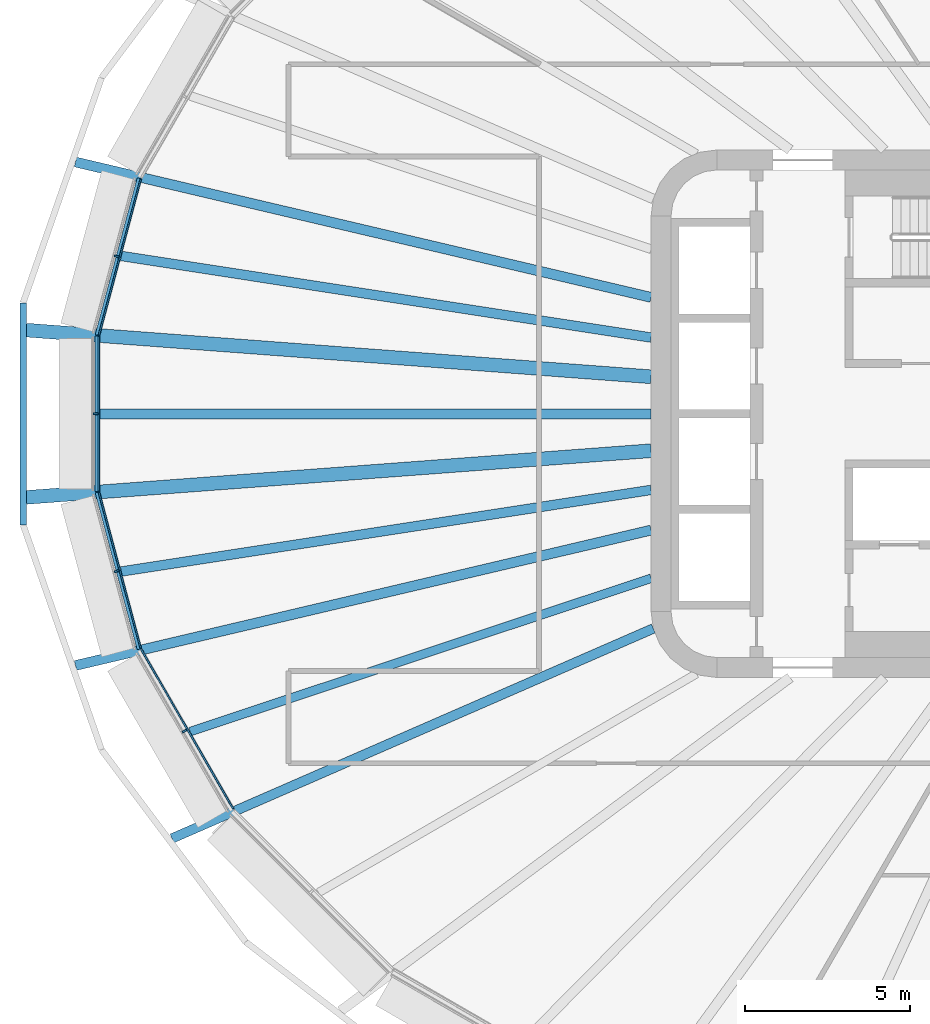
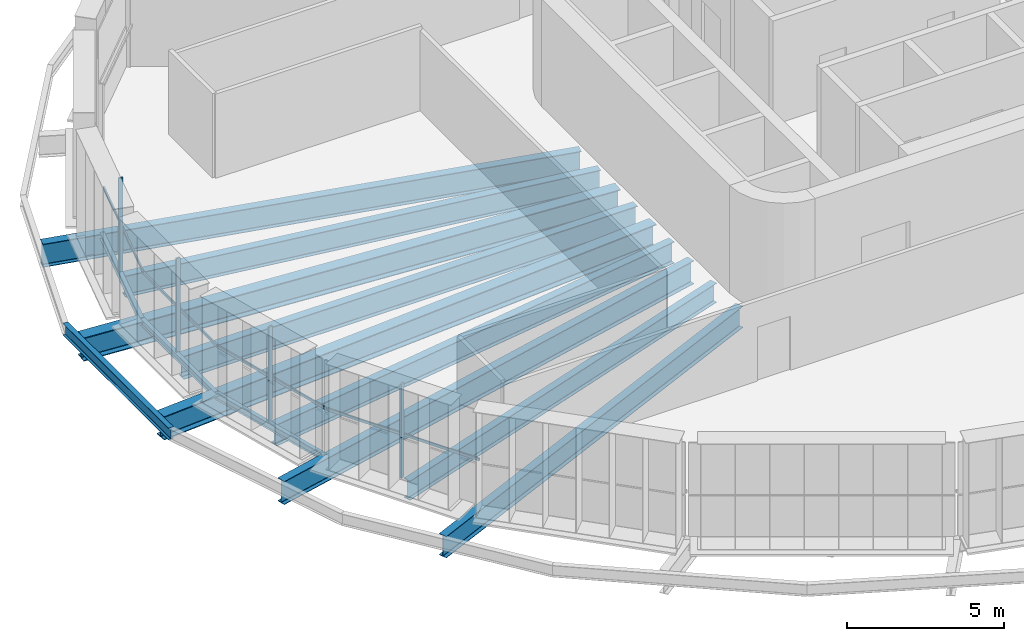
# One storey, part 3 of 25: 13 beams, 8 members, 4 elements without a shape of their own.
"""IFC4 building model written with IfcOpenShell, lengths in metres."""

from ifc_helpers import new_model, si_unit, direction, frame, origin, origin_2d, place, context, subcontext, project, spatial, rectangle, i_section, extrude, material, layer, layer_set, material_profile, profile_set, type_object, element, aggregate, save


model = new_model("IFC4")

# Units and contexts
model_context = context("Model", 3, precision=1e-05, world=origin(), true_north=direction((0.0, 1.0)))
body_context = subcontext(model_context, "Body", "Model", "MODEL_VIEW")
ifc_project = project(units=[si_unit("LENGTHUNIT", "METRE"), si_unit("AREAUNIT", "SQUARE_METRE"), si_unit("VOLUMEUNIT", "CUBIC_METRE"), si_unit("PLANEANGLEUNIT", "RADIAN"), si_unit("MASSUNIT", "GRAM", prefix="KILO")], contexts=[model_context])

# Site, building, storey
site_placement = place(None, origin())
site = spatial("IfcSite", under=ifc_project, at=site_placement, CompositionType="ELEMENT")
building_placement = place(site_placement, origin())
building = spatial("IfcBuilding", under=site, at=building_placement, Name="Sahrelin Media Tower", CompositionType="ELEMENT")
storey_placement = place(building_placement, frame((0.0, 0.0, 106.199951171875)))
storey = spatial("IfcBuildingStorey", under=building, at=storey_placement, Name="L20", CompositionType="ELEMENT", Elevation=106.199951171875)

# Beams
ifc_material_1 = material(Name="Steel S355", Category="steel")
ifc_material_profile_1 = material_profile(ifc_material_1, i_section(OverallWidth=0.14599609375, OverallDepth=0.25146484375, WebThickness=0.006103515625, FlangeThickness=0.008544921875, FilletRadius=0.007568359375, at=origin_2d()), Name="UB 254x146x31")
ifc_profile_set_1 = profile_set([ifc_material_profile_1], Name="Steel S355")
beam_type_1 = type_object("IfcBeamType", Name="Edge beam EB1", PredefinedType="BEAM", material=ifc_profile_set_1)
beam_1_placement = place(storey_placement, frame((-30.51611328125, -7.138427734375, -0.275634765625), z_axis=(-0.258785645927, 0.965934774952, 0.0), x_axis=(-0.965934774952, -0.258785645927, 0.0)))
element("IfcBeam", 1, at=beam_1_placement, inside=storey, type_object=beam_type_1, Name="Edge beam L20-12", PredefinedType="BEAM", context=body_context, shape_type="SweptSolid", body=[
    extrude(i_section(OverallWidth=0.14599609375, OverallDepth=0.25146484375, WebThickness=0.006103515625, FlangeThickness=0.008544921875, FilletRadius=0.007568359375, at=origin_2d()), origin(), (0.0, 0.0, 1.0), 4.924560546875),
])
beam_2_placement = place(storey_placement, frame((-31.794189453125, -2.352783203125, -0.275634765625), z_axis=(0.0, 1.0, 0.0), x_axis=(-1.0, 0.0, 0.0)))
element("IfcBeam", 2, at=beam_2_placement, inside=storey, type_object=beam_type_1, Name="Edge beam L20-13", PredefinedType="BEAM", context=body_context, shape_type="SweptSolid", body=[
    extrude(i_section(OverallWidth=0.14599609375, OverallDepth=0.25146484375, WebThickness=0.006103515625, FlangeThickness=0.008544921875, FilletRadius=0.007568359375, at=origin_2d()), origin(), (0.0, 0.0, 1.0), 4.70556640625),
])
beam_3_placement = place(storey_placement, frame((-31.79052734375, 2.381591796875, -0.275634765625), z_axis=(0.258785645927, 0.965934774952, 0.0), x_axis=(-0.965934774952, 0.258785645927, 0.0)))
element("IfcBeam", 3, at=beam_3_placement, inside=storey, type_object=beam_type_1, Name="Edge beam L20-14", PredefinedType="BEAM", context=body_context, shape_type="SweptSolid", body=[
    extrude(i_section(OverallWidth=0.14599609375, OverallDepth=0.25146484375, WebThickness=0.006103515625, FlangeThickness=0.008544921875, FilletRadius=0.007568359375, at=origin_2d()), origin(), (0.0, 0.0, 1.0), 4.924560546875),
])

# Curtain wall, member
ifc_material_2 = material(Name="Champagne anodised aluminium 6063-T6", Category="aluminium")
ifc_layer = layer(ifc_material_2, 0.14990234375)
ifc_layer_set = layer_set([ifc_layer], Name="Tower ribbon curtain wall")
curtain_wall_type = type_object("IfcCurtainWallType", Name="Tower ribbon curtain wall", PredefinedType="NOTDEFINED", material=ifc_layer_set)
curtain_wall_1_placement = place(storey_placement, frame((-31.298095703125, 4.798583984375, 0.0), z_axis=(0.0, 0.0, 1.0), x_axis=(1.0, 0.0, 0.0)))
curtain_wall_1 = element("IfcCurtainWall", 4, at=curtain_wall_1_placement, inside=storey, type_object=curtain_wall_type, Name="L20:CW:L20-11", PredefinedType="NOTDEFINED")
ifc_material_profile_2 = material_profile(ifc_material_2, rectangle(XDim=0.06005859375, YDim=0.14990234375, at=origin_2d()), Name="Mullion 60x150")
ifc_profile_set_2 = profile_set([ifc_material_profile_2], Name="Champagne anodised aluminium 6063-T6")
member_type_1 = type_object("IfcMemberType", Name="Mullion 60x150 CW1", PredefinedType="MULLION", material=ifc_profile_set_2)
member_1_placement = place(storey_placement, frame((-31.206298828125, 4.774169921875, 0.0), z_axis=(0.0, 0.0, 1.0), x_axis=(-0.2588106158, -0.965928084875, 0.0)))
member_1 = element("IfcMember", 5, at=member_1_placement, type_object=member_type_1, Name="L20:CWM:L20-11", PredefinedType="MULLION", context=body_context, shape_type="SweptSolid", body=[
    extrude(rectangle(XDim=0.06005859375, YDim=0.14990234375, at=origin_2d()), origin(), (0.0, 0.0, 1.0), 3.648681640625),
])

curtain_wall_2_placement = place(storey_placement, frame((-31.9443359375, 0.0, 0.0), z_axis=(0.0, 0.0, 1.0), x_axis=(1.0, 0.0, 0.0)))
curtain_wall_2 = element("IfcCurtainWall", 6, at=curtain_wall_2_placement, inside=storey, type_object=curtain_wall_type, Name="L20:CW:L20-12", PredefinedType="NOTDEFINED")
member_2_placement = place(storey_placement, frame((-31.849365234375, 0.0, 0.0), z_axis=(0.0, 0.0, 1.0), x_axis=(0.0, -1.0, 0.0)))
member_2 = element("IfcMember", 7, at=member_2_placement, type_object=member_type_1, Name="L20:CWM:L20-12", PredefinedType="MULLION", context=body_context, shape_type="SweptSolid", body=[
    extrude(rectangle(XDim=0.06005859375, YDim=0.14990234375, at=origin_2d()), origin(), (0.0, 0.0, 1.0), 3.648681640625),
])

curtain_wall_3_placement = place(storey_placement, frame((-31.298095703125, -4.798828125, 0.0), z_axis=(0.0, 0.0, 1.0), x_axis=(1.0, 0.0, 0.0)))
curtain_wall_3 = element("IfcCurtainWall", 8, at=curtain_wall_3_placement, inside=storey, type_object=curtain_wall_type, Name="L20:CW:L20-13", PredefinedType="NOTDEFINED")
member_3_placement = place(storey_placement, frame((-31.206298828125, -4.774169921875, 0.0), z_axis=(0.0, 0.0, 1.0), x_axis=(0.2588106158, -0.965928084875, 0.0)))
member_3 = element("IfcMember", 9, at=member_3_placement, type_object=member_type_1, Name="L20:CWM:L20-13", PredefinedType="MULLION", context=body_context, shape_type="SweptSolid", body=[
    extrude(rectangle(XDim=0.06005859375, YDim=0.14990234375, at=origin_2d()), origin(), (0.0, 0.0, 1.0), 3.648681640625),
])

curtain_wall_4_placement = place(storey_placement, frame((-29.231689453125, -9.67041015625, 0.0), z_axis=(0.0, 0.0, 1.0), x_axis=(1.0, 0.0, 0.0)))
curtain_wall_4 = element("IfcCurtainWall", 10, at=curtain_wall_4_placement, inside=storey, type_object=curtain_wall_type, Name="L20:CW:L20-14", PredefinedType="NOTDEFINED")
member_4_placement = place(storey_placement, frame((-29.1494140625, -9.622802734375, 0.0), z_axis=(0.0, 0.0, 1.0), x_axis=(0.500004534492, -0.866022785779, 0.0)))
member_4 = element("IfcMember", 11, at=member_4_placement, type_object=member_type_1, Name="L20:CWM:L20-14", PredefinedType="MULLION", context=body_context, shape_type="SweptSolid", body=[
    extrude(rectangle(XDim=0.06005859375, YDim=0.14990234375, at=origin_2d()), origin(), (0.0, 0.0, 1.0), 3.648681640625),
])

# Beams
ifc_material_profile_3 = material_profile(ifc_material_1, i_section(OverallWidth=0.291748046875, OverallDepth=0.8349609375, WebThickness=0.013916015625, FlangeThickness=0.018798828125, FilletRadius=0.017822265625, at=origin_2d()), Name="UB 838x292x176")
ifc_profile_set_3 = profile_set([ifc_material_profile_3], Name="Steel S355")
beam_type_2 = type_object("IfcBeamType", Name="Radial primary beam PB10", PredefinedType="BEAM", material=ifc_profile_set_3)
beam_4_placement = place(storey_placement, frame((-14.9326171875, -6.512939453125, -0.5673828125), z_axis=(-0.916604953185, -0.399794146777, 0.0), x_axis=(0.399794146777, -0.916604953185, 0.0)))
element("IfcBeam", 12, at=beam_4_placement, inside=storey, type_object=beam_type_2, Name="Radial beam L20-15", PredefinedType="BEAM", context=body_context, shape_type="SweptSolid", body=[
    extrude(i_section(OverallWidth=0.291748046875, OverallDepth=0.8349609375, WebThickness=0.013916015625, FlangeThickness=0.018798828125, FilletRadius=0.017822265625, at=origin_2d()), origin(), (0.0, 0.0, 1.0), 15.927490234375),
])
ifc_material_profile_4 = material_profile(ifc_material_1, i_section(OverallWidth=0.30322265625, OverallDepth=0.903076171875, WebThickness=0.01513671875, FlangeThickness=0.020263671875, FilletRadius=0.01904296875, at=origin_2d()), Name="UB 914x305x201")
ifc_profile_set_4 = profile_set([ifc_material_profile_4], Name="Steel S355")
beam_type_3 = type_object("IfcBeamType", Name="Radial primary beam PB11", PredefinedType="BEAM", material=ifc_profile_set_4)
for number, where, z_axis, x_axis, name in (
    (13, (-15.0, 3.528564453125, -0.6015625), (-0.973432697563, 0.228973324463, 0.0), (-0.228973324463, -0.973432697563, 0.0), "Radial beam L20-11"),
    (14, (-15.0, -3.528564453125, -0.6015625), (-0.973432697563, -0.228973324463, 0.0), (0.228973324463, -0.973432697563, 0.0), "Radial beam L20-14"),
):
    element("IfcBeam", number, at=place(storey_placement, frame(where, z_axis=z_axis, x_axis=x_axis)), inside=storey, type_object=beam_type_3, Name=name, PredefinedType="BEAM", context=body_context, shape_type="SweptSolid", body=[
        extrude(i_section(OverallWidth=0.30322265625, OverallDepth=0.903076171875, WebThickness=0.01513671875, FlangeThickness=0.020263671875, FilletRadius=0.01904296875, at=origin_2d()), origin(), (0.0, 0.0, 1.0), 17.935302734375),
    ])
ifc_material_profile_5 = material_profile(ifc_material_1, i_section(OverallWidth=0.41845703125, OverallDepth=0.911865234375, WebThickness=0.019287109375, FlangeThickness=0.031982421875, FilletRadius=0.024169921875, at=origin_2d()), Name="UB 914x419x343")
ifc_profile_set_5 = profile_set([ifc_material_profile_5], Name="Steel S355")
beam_type_4 = type_object("IfcBeamType", Name="Radial primary beam PB12", PredefinedType="BEAM", material=ifc_profile_set_5)
for number, where, z_axis, x_axis, name in (
    (15, (-15.0, 1.12109375, -0.60595703125), (-0.997219944045, 0.074514315397, 0.0), (-0.074514315397, -0.997219944045, 0.0), "Radial beam L20-12"),
    (16, (-15.0, -1.12109375, -0.60595703125), (-0.997219944045, -0.074514315397, 0.0), (0.074514315397, -0.997219944045, 0.0), "Radial beam L20-13"),
):
    element("IfcBeam", number, at=place(storey_placement, frame(where, z_axis=z_axis, x_axis=x_axis)), inside=storey, type_object=beam_type_4, Name=name, PredefinedType="BEAM", context=body_context, shape_type="SweptSolid", body=[
        extrude(i_section(OverallWidth=0.41845703125, OverallDepth=0.911865234375, WebThickness=0.019287109375, FlangeThickness=0.031982421875, FilletRadius=0.024169921875, at=origin_2d()), origin(), (0.0, 0.0, 1.0), 19.003173828125),
    ])
ifc_material_profile_6 = material_profile(ifc_material_1, i_section(OverallWidth=0.291748046875, OverallDepth=0.8349609375, WebThickness=0.013916015625, FlangeThickness=0.018798828125, FilletRadius=0.017822265625, at=origin_2d()), Name="UB 838x292x176")
ifc_profile_set_6 = profile_set([ifc_material_profile_6], Name="Steel S355")
beam_type_5 = type_object("IfcBeamType", Name="Radial secondary beam SB10", PredefinedType="BEAM", material=ifc_profile_set_6)
for number, where, z_axis, x_axis, name in (
    (17, (-15.0, 2.310302734375, -0.5673828125), (-0.988347036521, 0.152217395197, 0.0), (-0.152217395197, -0.988347036521, 0.0), "Secondary beam L20-11"),
    (18, (-15.0, -2.310302734375, -0.5673828125), (-0.988347036521, -0.152217395197, 0.0), (0.152217395197, -0.988347036521, 0.0), "Secondary beam L20-13"),
):
    element("IfcBeam", number, at=place(storey_placement, frame(where, z_axis=z_axis, x_axis=x_axis)), inside=storey, type_object=beam_type_5, Name=name, PredefinedType="BEAM", context=body_context, shape_type="SweptSolid", body=[
        extrude(i_section(OverallWidth=0.291748046875, OverallDepth=0.8349609375, WebThickness=0.013916015625, FlangeThickness=0.018798828125, FilletRadius=0.017822265625, at=origin_2d()), origin(), (0.0, 0.0, 1.0), 16.26025390625),
    ])
ifc_material_profile_7 = material_profile(ifc_material_1, i_section(OverallWidth=0.30322265625, OverallDepth=0.903076171875, WebThickness=0.01513671875, FlangeThickness=0.020263671875, FilletRadius=0.01904296875, at=origin_2d()), Name="UB 914x305x201")
ifc_profile_set_7 = profile_set([ifc_material_profile_7], Name="Steel S355")
beam_type_6 = type_object("IfcBeamType", Name="Radial secondary beam SB11", PredefinedType="BEAM", material=ifc_profile_set_7)
beam_5_placement = place(storey_placement, frame((-15.0, 0.0, -0.6015625), z_axis=(-1.0, 0.0, 0.0), x_axis=(0.0, -1.0, 0.0)))
element("IfcBeam", 19, at=beam_5_placement, inside=storey, type_object=beam_type_6, Name="Secondary beam L20-12", PredefinedType="BEAM", context=body_context, shape_type="SweptSolid", body=[
    extrude(i_section(OverallWidth=0.30322265625, OverallDepth=0.903076171875, WebThickness=0.01513671875, FlangeThickness=0.020263671875, FilletRadius=0.01904296875, at=origin_2d()), origin(), (0.0, 0.0, 1.0), 16.72119140625),
])
ifc_material_profile_8 = material_profile(ifc_material_1, i_section(OverallWidth=0.26513671875, OverallDepth=0.75390625, WebThickness=0.0126953125, FlangeThickness=0.017578125, FilletRadius=0.0166015625, at=origin_2d()), Name="UB 762x267x147")
ifc_profile_set_8 = profile_set([ifc_material_profile_8], Name="Steel S355")
beam_type_7 = type_object("IfcBeamType", Name="Radial secondary beam SB9", PredefinedType="BEAM", material=ifc_profile_set_8)
beam_6_placement = place(storey_placement, frame((-15.0, -4.989990234375, -0.52685546875), z_axis=(-0.948863762476, -0.31568585692, 0.0), x_axis=(0.31568585692, -0.948863762476, 0.0)))
element("IfcBeam", 20, at=beam_6_placement, inside=storey, type_object=beam_type_7, Name="Secondary beam L20-14", PredefinedType="BEAM", context=body_context, shape_type="SweptSolid", body=[
    extrude(i_section(OverallWidth=0.26513671875, OverallDepth=0.75390625, WebThickness=0.0126953125, FlangeThickness=0.017578125, FilletRadius=0.0166015625, at=origin_2d()), origin(), (0.0, 0.0, 1.0), 14.7333984375),
])
ifc_material_profile_9 = material_profile(ifc_material_1, i_section(OverallWidth=0.1904296875, OverallDepth=0.45703125, WebThickness=0.009033203125, FlangeThickness=0.014404296875, FilletRadius=0.01025390625, at=origin_2d()), Name="UB 457x191x74")
ifc_profile_set_9 = profile_set([ifc_material_profile_9], Name="Steel S355")
beam_type_8 = type_object("IfcBeamType", Name="Tie chord TC5", PredefinedType="BEAM", material=ifc_profile_set_9)
beam_7_placement = place(storey_placement, frame((-34.045654296875, 3.366455078125, -0.37841796875), z_axis=(0.0, -1.0, 0.0), x_axis=(1.0, 0.0, 0.0)))
element("IfcBeam", 21, at=beam_7_placement, inside=storey, type_object=beam_type_8, Name="Tie chord L20-12", PredefinedType="BEAM", context=body_context, shape_type="SweptSolid", body=[
    extrude(i_section(OverallWidth=0.1904296875, OverallDepth=0.45703125, WebThickness=0.009033203125, FlangeThickness=0.014404296875, FilletRadius=0.01025390625, at=origin_2d()), origin(), (0.0, 0.0, 1.0), 6.73291015625),
])

# Member
ifc_material_profile_10 = material_profile(ifc_material_2, rectangle(XDim=0.050048828125, YDim=0.10009765625, at=origin_2d()), Name="Transom 50x100")
ifc_profile_set_10 = profile_set([ifc_material_profile_10], Name="Champagne anodised aluminium 6063-T6")
member_type_2 = type_object("IfcMemberType", Name="Transom 50x100 CW1", PredefinedType="USERDEFINED", material=ifc_profile_set_10)
member_5_placement = place(storey_placement, frame((-30.4765625, 7.111572265625, 1.60009765625), z_axis=(-0.258795938733, -0.965932017326, 0.0), x_axis=(0.965932017326, -0.258795938733, 0.0)))
member_5 = element("IfcMember", 22, at=member_5_placement, type_object=member_type_2, Name="L20:CWT:L20-11", ObjectType="TRANSOM", PredefinedType="USERDEFINED", context=body_context, shape_type="SweptSolid", body=[
    extrude(rectangle(XDim=0.050048828125, YDim=0.10009765625, at=origin_2d()), origin(), (0.0, 0.0, 1.0), 4.893310546875),
])

aggregate(curtain_wall_1, [member_1, member_5])

member_6_placement = place(storey_placement, frame((-31.749267578125, 2.337158203125, 1.60009765625), z_axis=(0.0, -1.0, 0.0), x_axis=(1.0, 0.0, 0.0)))
member_6 = element("IfcMember", 23, at=member_6_placement, type_object=member_type_2, Name="L20:CWT:L20-12", ObjectType="TRANSOM", PredefinedType="USERDEFINED", context=body_context, shape_type="SweptSolid", body=[
    extrude(rectangle(XDim=0.050048828125, YDim=0.10009765625, at=origin_2d()), origin(), (0.0, 0.0, 1.0), 4.67431640625),
])

aggregate(curtain_wall_2, [member_2, member_6])

member_7_placement = place(storey_placement, frame((-31.742919921875, -2.385009765625, 1.60009765625), z_axis=(0.258795938733, -0.965932017326, 0.0), x_axis=(0.965932017326, 0.258795938733, 0.0)))
member_7 = element("IfcMember", 24, at=member_7_placement, type_object=member_type_2, Name="L20:CWT:L20-13", ObjectType="TRANSOM", PredefinedType="USERDEFINED", context=body_context, shape_type="SweptSolid", body=[
    extrude(rectangle(XDim=0.050048828125, YDim=0.10009765625, at=origin_2d()), origin(), (0.0, 0.0, 1.0), 4.893310546875),
])

aggregate(curtain_wall_3, [member_3, member_7])

member_8_placement = place(storey_placement, frame((-30.4580078125, -7.156005859375, 1.60009765625), z_axis=(0.499987512418, -0.866032613373, 0.0), x_axis=(0.866032613373, 0.499987512418, 0.0)))
member_8 = element("IfcMember", 25, at=member_8_placement, type_object=member_type_2, Name="L20:CWT:L20-14", ObjectType="TRANSOM", PredefinedType="USERDEFINED", context=body_context, shape_type="SweptSolid", body=[
    extrude(rectangle(XDim=0.050048828125, YDim=0.10009765625, at=origin_2d()), origin(), (0.0, 0.0, 1.0), 5.581298828125),
])

aggregate(curtain_wall_4, [member_4, member_8])

save(model, "model.ifc")
